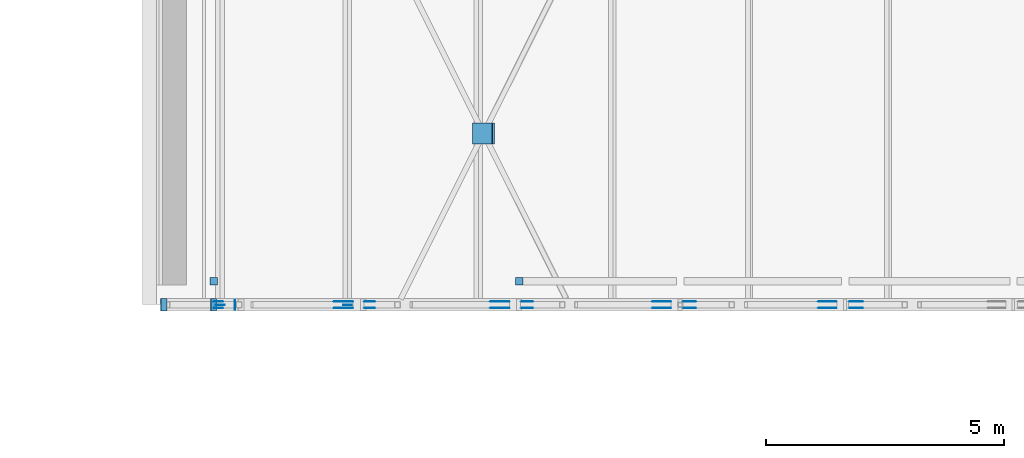
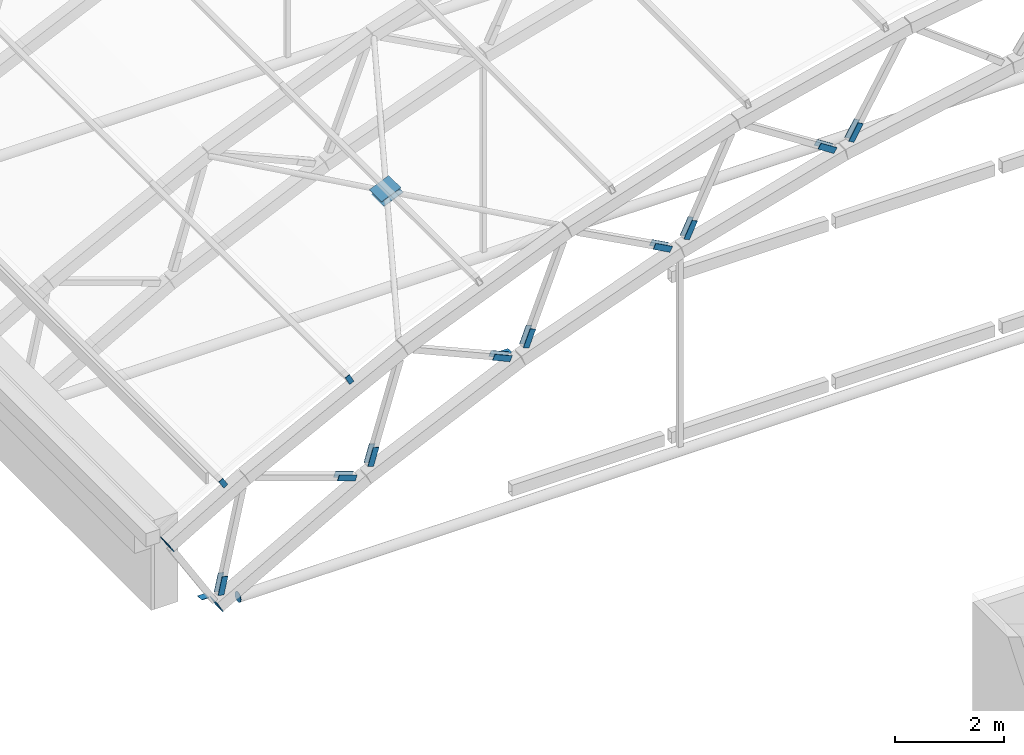
# One storey, part 83 of 127: 27 discrete accessories.
"""IFC4 building model written with IfcOpenShell, lengths in metres."""

import ifcopenshell
import ifcopenshell.guid

model = None  # the IFC model being written
_history = None  # IfcOwnerHistory: only IFC2X3 demands one
_inside = {}  # id of a spatial element -> (the spatial element, [elements in it])
_under = {}  # id of a project, library or spatial element -> (it, [spatial elements below it])
_declared = {}  # id of a project -> (the project, [libraries it declares])
_typed = {}  # id of a type object -> (the type object, [elements of that type])
_made_of = {}  # id of a material, layer set ... -> (it, [elements and type objects made of it])


def new_model(schema):
    """Start an empty IFC model of exactly this schema.

    Asked for "IFC4X3", IfcOpenShell would pick the latest addendum, in which some entities
    have other attributes; the version numbers below select the first issue.
    IFC2X3 requires an IfcOwnerHistory on every rooted entity: one is made here for all.
    """
    global model, _history
    if schema == "IFC4X3":
        model = ifcopenshell.file(schema_version=(4, 3, 0, 0))
    else:
        model = ifcopenshell.file(schema=schema)
    _inside.clear()
    _under.clear()
    _declared.clear()
    _typed.clear()
    _made_of.clear()
    _history = None
    if model.schema == "IFC2X3":
        org = make("IfcOrganization", Name="unknown")
        user = make(
            "IfcPersonAndOrganization",
            ThePerson=make("IfcPerson", FamilyName="unknown"),
            TheOrganization=org,
        )
        app = make(
            "IfcApplication",
            ApplicationDeveloper=org,
            Version="unknown",
            ApplicationFullName="unknown",
            ApplicationIdentifier="unknown",
        )
        _history = make(
            "IfcOwnerHistory",
            OwningUser=user,
            OwningApplication=app,
            ChangeAction="ADDED",
            CreationDate=0,
        )
    return model


def make(cls, **values):
    """One entity of the class cls with the attributes given. An attribute that is None is left unset."""
    return model.create_entity(
        cls, **{name: value for name, value in values.items() if value is not None}
    )


def rooted(cls, **values):
    """An entity with a GlobalId (a new one), such as an element, a storey or a relation."""
    return make(cls, GlobalId=ifcopenshell.guid.new(), OwnerHistory=_history, **values)


def si_unit(unit_type, name, prefix=None):
    """IfcSIUnit, for example si_unit("LENGTHUNIT", "METRE", prefix="MILLI")."""
    return make("IfcSIUnit", UnitType=unit_type, Prefix=prefix, Name=name)


def assignment(units):
    """IfcUnitAssignment: the units of a project."""
    return None if units is None else make("IfcUnitAssignment", Units=units)


def point(xyz):
    """IfcCartesianPoint."""
    return None if xyz is None else make("IfcCartesianPoint", Coordinates=xyz)


def direction(xyz):
    """IfcDirection."""
    return None if xyz is None else make("IfcDirection", DirectionRatios=xyz)


def frame(location, z_axis=None, x_axis=None):
    """IfcAxis2Placement3D, a coordinate frame: its origin and axes. An axis left out is left unset."""
    return make(
        "IfcAxis2Placement3D",
        Location=point(location),
        Axis=direction(z_axis),
        RefDirection=direction(x_axis),
    )


def frame_2d(location, x_axis=None):
    """IfcAxis2Placement2D, a coordinate frame in the plane: its origin and x axis."""
    return make(
        "IfcAxis2Placement2D", Location=point(location), RefDirection=direction(x_axis)
    )


def origin():
    """The frame at (0, 0, 0) with its axes left unset."""
    return frame((0.0, 0.0, 0.0))


def origin_2d():
    """The frame at (0, 0) in the plane with its x axis left unset."""
    return frame_2d((0.0, 0.0))


def place(relative_to, where):
    """IfcLocalPlacement: puts the frame where relative to a parent placement (None: the world)."""
    return make(
        "IfcLocalPlacement", PlacementRelTo=relative_to, RelativePlacement=where
    )


def context(
    kind, dimensions, precision=None, world=None, true_north=None, identifier=None
):
    """IfcGeometricRepresentationContext, for example the 3D "Model" context."""
    return make(
        "IfcGeometricRepresentationContext",
        ContextIdentifier=identifier,
        ContextType=kind,
        CoordinateSpaceDimension=dimensions,
        Precision=precision,
        WorldCoordinateSystem=world,
        TrueNorth=true_north,
    )


def subcontext(parent, identifier, kind, view, scale=None):
    """IfcGeometricRepresentationSubContext, for example "Body" below "Model"."""
    return make(
        "IfcGeometricRepresentationSubContext",
        ContextIdentifier=identifier,
        ContextType=kind,
        ParentContext=parent,
        TargetScale=scale,
        TargetView=view,
    )


def project(units=None, contexts=None):
    """IfcProject with its units and contexts."""
    return rooted(
        "IfcProject",
        Name="project",
        RepresentationContexts=contexts,
        UnitsInContext=assignment(units),
    )


def spatial(cls, under=None, at=None, **own):
    """A site, building, storey or space (cls), placed at a placement, below another one or the project."""
    s = rooted(cls, ObjectPlacement=at, **own)
    if under is not None:
        _under.setdefault(under.id(), (under, []))[1].append(s)
    return s


def profile(cls, at=None, kind="AREA", **sizes):
    """A parametric profile (cls). Its sizes go by their IFC names, for example OverallWidth=200.0."""
    return make(cls, ProfileType=kind, Position=at, **sizes)


def rectangle(**sizes):
    """IfcRectangleProfileDef."""
    return profile("IfcRectangleProfileDef", **sizes)


def circle(**sizes):
    """IfcCircleProfileDef."""
    return profile("IfcCircleProfileDef", **sizes)


def extrude(swept, where, along, depth):
    """IfcExtrudedAreaSolid: the profile swept, set in the frame where, extruded along a direction by depth."""
    return make(
        "IfcExtrudedAreaSolid",
        SweptArea=swept,
        Position=where,
        ExtrudedDirection=direction(along),
        Depth=depth,
    )


def shape(context_of_items, identifier, shape_type, items):
    """IfcShapeRepresentation: the items that make up one representation, for example the "Body"."""
    return make(
        "IfcShapeRepresentation",
        ContextOfItems=context_of_items,
        RepresentationIdentifier=identifier,
        RepresentationType=shape_type,
        Items=items,
    )


def material(Name=None, Category=None):
    """IfcMaterial."""
    return make("IfcMaterial", Name=Name, Category=Category)


def material_profile(
    of_material, cross_section, Name=None, Category=None, Priority=None
):
    """IfcMaterialProfile: a cross section and its material."""
    return make(
        "IfcMaterialProfile",
        Name=Name,
        Material=of_material,
        Profile=cross_section,
        Priority=Priority,
        Category=Category,
    )


def profile_set(profiles, Name=None, composite=None):
    """IfcMaterialProfileSet."""
    return make(
        "IfcMaterialProfileSet",
        Name=Name,
        MaterialProfiles=profiles,
        CompositeProfile=composite,
    )


def made_of(thing, what):
    """Note that an element or type object is made of a material, layer set ...; save() writes the relation."""
    if what is not None:
        _made_of.setdefault(what.id(), (what, []))[1].append(thing)
    return thing


def type_object(cls, material=None, **own):
    """A type object (cls), such as IfcWallType, which elements share."""
    return made_of(rooted(cls, **own), material)


def element(
    cls,
    number,
    at=None,
    inside=None,
    cuts=None,
    type_object=None,
    material=None,
    context=None,
    identifier="Body",
    shape_type=None,
    held_by="IfcProductDefinitionShape",
    body=None,
    shapes=None,
    **own,
):
    """One element of the class cls, such as IfcWall. Its Tag is "e" and its number.

    at: its placement. inside: the storey or other place that contains it. cuts: it is an
    opening in that element (IfcRelVoidsElement). A single representation is given by context,
    identifier, shape_type and body (its items); several are given by shapes. held_by: the class
    of the entity that holds the representations. save() writes the other relations.
    """
    e = rooted(cls, Tag="e%d" % number, ObjectPlacement=at, **own)
    if body is not None:
        shapes = [shape(context, identifier, shape_type, body)]
    if shapes is not None:
        e.Representation = make(held_by, Representations=shapes)
    if inside is not None:
        _inside.setdefault(inside.id(), (inside, []))[1].append(e)
    if cuts is not None:
        rooted(
            "IfcRelVoidsElement", RelatingBuildingElement=cuts, RelatedOpeningElement=e
        )
    if type_object is not None:
        _typed.setdefault(type_object.id(), (type_object, []))[1].append(e)
    return made_of(e, material)


def aggregate(whole, parts):
    """IfcRelAggregates: a whole, such as a stair, and the parts it consists of."""
    return rooted("IfcRelAggregates", RelatingObject=whole, RelatedObjects=parts)


def save(model, path):
    """Write the relations noted so far, then the file.

    IfcRelAggregates (storeys below a building ...), IfcRelContainedInSpatialStructure (elements
    in a storey), IfcRelDefinesByType, IfcRelAssociatesMaterial and IfcRelDeclares: one each for
    every whole, place, type object, material and project.
    """
    for whole, parts in _under.values():
        aggregate(whole, parts)
    for where, things in _inside.values():
        rooted(
            "IfcRelContainedInSpatialStructure",
            RelatedElements=things,
            RelatingStructure=where,
        )
    for kind, things in _typed.values():
        rooted("IfcRelDefinesByType", RelatedObjects=things, RelatingType=kind)
    for what, things in _made_of.values():
        rooted("IfcRelAssociatesMaterial", RelatedObjects=things, RelatingMaterial=what)
    for by, libraries in _declared.values():
        rooted("IfcRelDeclares", RelatingContext=by, RelatedDefinitions=libraries)
    model.write(path)


model = new_model("IFC4")

# Units and contexts
model_context = context("Model", 3, precision=1e-05, world=origin(), true_north=direction((0.0, 1.0)))
body_context = subcontext(model_context, "Body", "Model", "MODEL_VIEW")
ifc_project = project(units=[si_unit("LENGTHUNIT", "METRE"), si_unit("AREAUNIT", "SQUARE_METRE"), si_unit("VOLUMEUNIT", "CUBIC_METRE"), si_unit("PLANEANGLEUNIT", "RADIAN"), si_unit("MASSUNIT", "GRAM", prefix="KILO")], contexts=[model_context])

# Site, building, storey
site_placement = place(None, origin())
site = spatial("IfcSite", under=ifc_project, at=site_placement, CompositionType="ELEMENT")
building_placement = place(site_placement, origin())
building = spatial("IfcBuilding", under=site, at=building_placement, Name="Verrick Yard Athletic Hall", CompositionType="ELEMENT")
storey_placement = place(building_placement, frame((0.0, 0.0, 14.0)))
storey = spatial("IfcBuildingStorey", under=building, at=storey_placement, Name="L03", CompositionType="ELEMENT", Elevation=14.0)

# Discrete accessories
ifc_material = material(Name="Structural steel 350W (CSA G40.21)", Category="steel")
ifc_material_profile_1 = material_profile(ifc_material, rectangle(XDim=0.39990234375, YDim=0.126953125, at=origin_2d()), Name="Brace end cheek plate")
ifc_profile_set_1 = profile_set([ifc_material_profile_1], Name="Structural steel 350W (CSA G40.21)")
discrete_accessory_type_1 = type_object("IfcDiscreteAccessoryType", Name="Brace end cheek plate 400x127x12", PredefinedType="BRACKET", material=ifc_profile_set_1)
for number, where, z_axis, x_axis, name in (
    (1, (28.091064453125, 72.0634765625, 0.416015625), (0.0, 1.0, 0.0), (0.213605450371, 0.0, 0.976920012883), "Truss web end plate TB1-1 1"),
    (2, (28.091064453125, 71.9365234375, 0.416015625), (0.0, -1.0, 0.0), (0.213605450371, 0.0, 0.976920012883), "Truss web end plate TB1-1 2"),
    (3, (30.72412109375, 71.9365234375, 1.907470703125), (0.0, -1.0, 0.0), (-0.944025603302, 0.0, 0.32987218784), "Truss web end plate TB1-2 1"),
    (4, (30.72412109375, 72.0634765625, 1.907470703125), (0.0, 1.0, 0.0), (-0.944025603302, 0.0, 0.32987218784), "Truss web end plate TB1-2 2"),
    (5, (31.277587890625, 72.0634765625, 2.18896484375), (0.0, 1.0, 0.0), (0.289473335175, 0.0, 0.95718607816), "Truss web end plate TB1-3 1"),
    (6, (31.277587890625, 71.9365234375, 2.18896484375), (0.0, -1.0, 0.0), (0.289473335175, 0.0, 0.95718607816), "Truss web end plate TB1-3 2"),
    (7, (34.012939453125, 71.9365234375, 3.447509765625), (0.0, -1.0, 0.0), (-0.915285173692, 0.0, 0.402806468194), "Truss web end plate TB1-4 1"),
    (8, (34.012939453125, 72.0634765625, 3.447509765625), (0.0, 1.0, 0.0), (-0.915285173692, 0.0, 0.402806468194), "Truss web end plate TB1-4 2"),
    (9, (34.586669921875, 72.0634765625, 3.684814453125), (0.0, 1.0, 0.0), (0.363562561074, 0.0, 0.931569784925), "Truss web end plate TB1-5 1"),
    (10, (34.586669921875, 71.9365234375, 3.684814453125), (0.0, -1.0, 0.0), (0.363562561074, 0.0, 0.931569784925), "Truss web end plate TB1-5 2"),
    (11, (37.412109375, 71.9365234375, 4.725341796875), (0.0, -1.0, 0.0), (-0.880919955637, 0.0, 0.473265286876), "Truss web end plate TB1-6 1"),
    (12, (37.412109375, 72.0634765625, 4.725341796875), (0.0, 1.0, 0.0), (-0.880919955637, 0.0, 0.473265286876), "Truss web end plate TB1-6 2"),
    (13, (38.0029296875, 72.0634765625, 4.9169921875), (0.0, 1.0, 0.0), (0.435417263932, 0.0, 0.90022875219), "Truss web end plate TB1-7 1"),
    (14, (38.0029296875, 71.9365234375, 4.9169921875), (0.0, -1.0, 0.0), (0.435417263932, 0.0, 0.90022875219), "Truss web end plate TB1-7 2"),
    (15, (40.901123046875, 71.9365234375, 5.73291015625), (0.0, -1.0, 0.0), (-0.841141186405, 0.0, 0.540815591984), "Truss web end plate TB1-8 1"),
    (16, (40.901123046875, 72.0634765625, 5.73291015625), (0.0, 1.0, 0.0), (-0.841141186405, 0.0, 0.540815591984), "Truss web end plate TB1-8 2"),
    (17, (41.505126953125, 72.0634765625, 5.877685546875), (0.0, 1.0, 0.0), (0.504596608522, 0.0, 0.863355235502), "Truss web end plate TB1-9 1"),
    (18, (41.505126953125, 71.9365234375, 5.877685546875), (0.0, -1.0, 0.0), (0.504596608522, 0.0, 0.863355235502), "Truss web end plate TB1-9 2"),
):
    element("IfcDiscreteAccessory", number, at=place(storey_placement, frame(where, z_axis=z_axis, x_axis=x_axis)), inside=storey, type_object=discrete_accessory_type_1, Name=name, PredefinedType="BRACKET", context=body_context, shape_type="SweptSolid", body=[
        extrude(rectangle(XDim=0.39990234375, YDim=0.126953125, at=origin_2d()), origin(), (0.0, 0.0, 1.0), 0.011962890625),
    ])
ifc_material_profile_2 = material_profile(ifc_material, rectangle(XDim=0.449951171875, YDim=0.449951171875, at=origin_2d()), Name="Brace node plate")
ifc_profile_set_2 = profile_set([ifc_material_profile_2], Name="Structural steel 350W (CSA G40.21)")
discrete_accessory_type_2 = type_object("IfcDiscreteAccessoryType", Name="Brace node plate 450x450x12", PredefinedType="BRACKET", material=ifc_profile_set_2)
for number, where, z_axis, x_axis, name in (
    (19, (33.6953125, 75.60009765625, 5.028076171875), (0.38897203704, 0.0, -0.921249561411), (0.0, 1.0, 0.0), "Brace node plate B1-1 1"),
    (20, (33.651611328125, 75.60009765625, 5.1337890625), (-0.38897203704, 0.0, 0.921249561411), (0.0, -1.0, 0.0), "Brace node plate B1-1 2"),
):
    element("IfcDiscreteAccessory", number, at=place(storey_placement, frame(where, z_axis=z_axis, x_axis=x_axis)), inside=storey, type_object=discrete_accessory_type_2, Name=name, PredefinedType="BRACKET", context=body_context, shape_type="SweptSolid", body=[
        extrude(rectangle(XDim=0.449951171875, YDim=0.449951171875, at=origin_2d()), origin(), (0.0, 0.0, 1.0), 0.011962890625),
    ])
ifc_material_profile_3 = material_profile(ifc_material, rectangle(XDim=0.1015625, YDim=0.203125, at=origin_2d()), Name="STR End cap plate 203x102x9.5")
ifc_profile_set_3 = profile_set([ifc_material_profile_3], Name="Structural steel 350W (CSA G40.21)")
discrete_accessory_type_3 = type_object("IfcDiscreteAccessoryType", Name="STR End cap plate 203x102x9.5", PredefinedType="BRACKET", material=ifc_profile_set_3)
for number, where, z_axis, x_axis, name in (
    (21, (28.1357421875, 71.989990234375, 2.660888671875), (0.0, 1.0, 0.0), (-0.86316809178, 0.0, -0.504916671673), "End cap HB-PU-B-1-1 A"),
    (22, (30.81103515625, 71.989990234375, 4.046875), (0.0, 1.0, 0.0), (-0.891352741199, 0.0, -0.453310369126), "End cap HB-PU-B-1-2 A"),
):
    element("IfcDiscreteAccessory", number, at=place(storey_placement, frame(where, z_axis=z_axis, x_axis=x_axis)), inside=storey, type_object=discrete_accessory_type_3, Name=name, PredefinedType="BRACKET", context=body_context, shape_type="SweptSolid", body=[
        extrude(rectangle(XDim=0.1015625, YDim=0.203125, at=origin_2d()), origin(), (0.0, 0.0, 1.0), 0.010009765625),
    ])
ifc_material_profile_4 = material_profile(ifc_material, rectangle(XDim=0.25390625, YDim=0.25390625, at=origin_2d()), Name="STR End cap plate 254x254x9.5")
ifc_profile_set_4 = profile_set([ifc_material_profile_4], Name="Structural steel 350W (CSA G40.21)")
discrete_accessory_type_4 = type_object("IfcDiscreteAccessoryType", Name="STR End cap plate 254x254x9.5", PredefinedType="BRACKET", material=ifc_profile_set_4)
for number, where, z_axis, x_axis, name in (
    (23, (26.947998046875, 72.0, 1.701171875), (0.857492925713, 0.0, 0.514495755428), (0.0, 1.0, 0.0), "End cap Truss TB1 top chord 1 A"),
    (24, (27.9912109375, 72.0, -0.0048828125), (0.874157276122, 0.0, 0.485642931179), (0.0, 1.0, 0.0), "End cap Truss TB1 bottom chord 1 A"),
):
    element("IfcDiscreteAccessory", number, at=place(storey_placement, frame(where, z_axis=z_axis, x_axis=x_axis)), inside=storey, type_object=discrete_accessory_type_4, Name=name, PredefinedType="BRACKET", context=body_context, shape_type="SweptSolid", body=[
        extrude(rectangle(XDim=0.25390625, YDim=0.25390625, at=origin_2d()), origin(), (0.0, 0.0, 1.0), 0.010009765625),
    ])
ifc_material_profile_5 = material_profile(ifc_material, rectangle(XDim=0.15234375, YDim=0.15234375, at=origin_2d()), Name="STR End cap plate 152x152x9.5")
ifc_profile_set_5 = profile_set([ifc_material_profile_5], Name="Structural steel 350W (CSA G40.21)")
discrete_accessory_type_5 = type_object("IfcDiscreteAccessoryType", Name="STR End cap plate 152x152x9.5", PredefinedType="BRACKET", material=ifc_profile_set_5)
for number, where, z_axis, x_axis, name in (
    (25, (34.423583984375, 72.49462890625, 3.092041015625), (0.0, 0.0, 1.0), (1.0, 0.0, 0.0), "End cap HB-GP-BS-2 B"),
    (26, (28.0, 72.49462890625, -0.1455078125), (0.0, 0.0, 1.0), (1.0, 0.0, 0.0), "End cap HB-GP-BS-0 B"),
):
    element("IfcDiscreteAccessory", number, at=place(storey_placement, frame(where, z_axis=z_axis, x_axis=x_axis)), inside=storey, type_object=discrete_accessory_type_5, Name=name, PredefinedType="BRACKET", context=body_context, shape_type="SweptSolid", body=[
        extrude(rectangle(XDim=0.15234375, YDim=0.15234375, at=origin_2d()), origin(), (0.0, 0.0, 1.0), 0.010009765625),
    ])
ifc_material_profile_6 = material_profile(ifc_material, circle(Radius=0.109619140625, at=origin_2d()), Name="STR End cap plate 219x13")
ifc_profile_set_6 = profile_set([ifc_material_profile_6], Name="Structural steel 350W (CSA G40.21)")
discrete_accessory_type_6 = type_object("IfcDiscreteAccessoryType", Name="STR End cap plate 219x13", PredefinedType="BRACKET", material=ifc_profile_set_6)
discrete_accessory_placement = place(storey_placement, frame((28.4462890625, 72.0, 0.0), z_axis=(1.0, 0.0, 0.0), x_axis=(0.0, 1.0, 0.0)))
element("IfcDiscreteAccessory", 27, at=discrete_accessory_placement, inside=storey, type_object=discrete_accessory_type_6, Name="End cap Truss TB1 tie 1 A", PredefinedType="BRACKET", context=body_context, shape_type="SweptSolid", body=[
    extrude(circle(Radius=0.109619140625, at=origin_2d()), origin(), (0.0, 0.0, 1.0), 0.010009765625),
])

save(model, "model.ifc")
